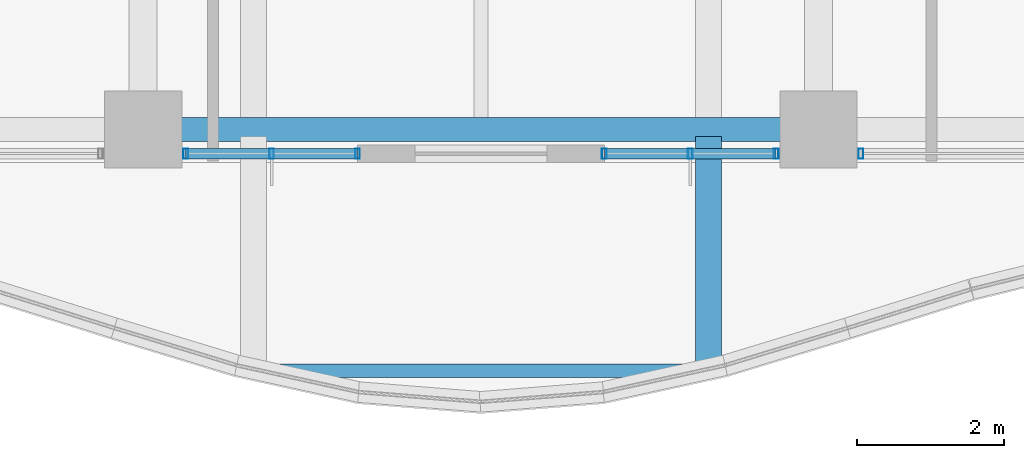
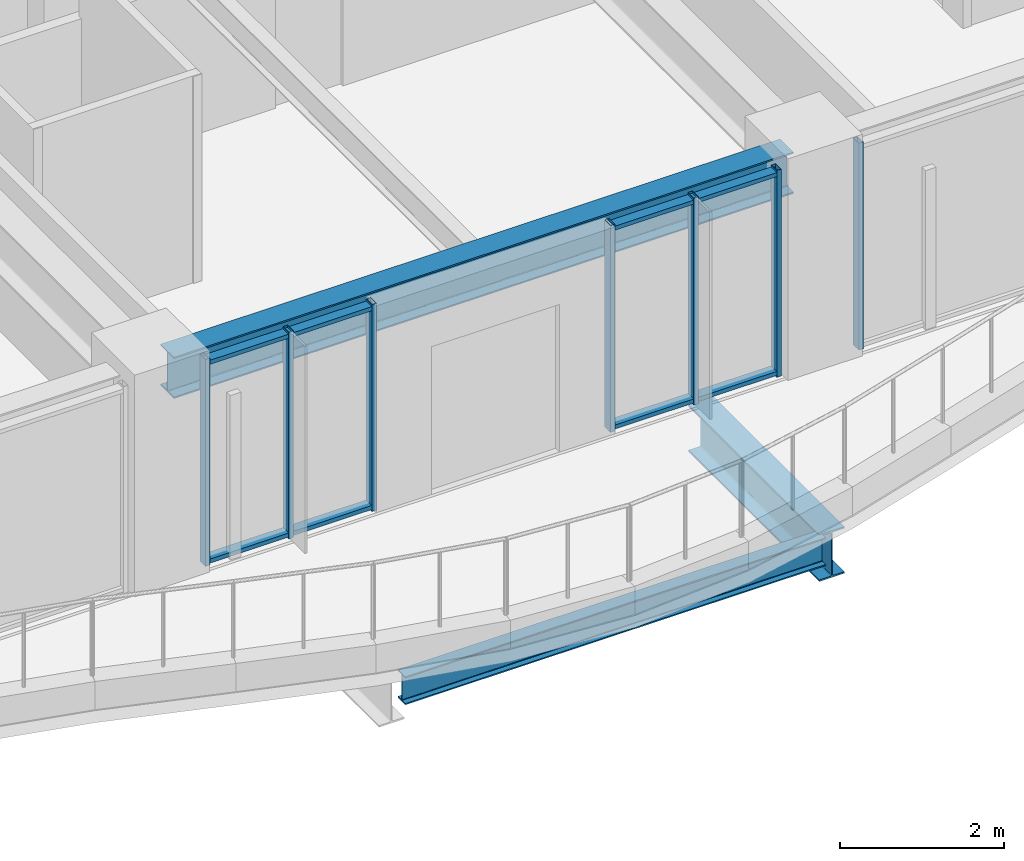
# One storey, part 6 of 38: 11 members, 3 beams, 3 elements without a shape of their own.
"""IFC4 building model written with IfcOpenShell, lengths in metres."""

from ifc_helpers import new_model, si_unit, direction, frame, origin, origin_2d, place, context, subcontext, project, spatial, hollow_rectangle, i_section, extrude, material, material_profile, profile_set, type_object, element, aggregate, save


model = new_model("IFC4")

# Units and contexts
model_context = context("Model", 3, precision=1e-05, world=origin(), true_north=direction((0.0, 1.0)))
body_context = subcontext(model_context, "Body", "Model", "MODEL_VIEW")
ifc_project = project(units=[si_unit("LENGTHUNIT", "METRE"), si_unit("AREAUNIT", "SQUARE_METRE"), si_unit("VOLUMEUNIT", "CUBIC_METRE"), si_unit("PLANEANGLEUNIT", "RADIAN"), si_unit("MASSUNIT", "GRAM", prefix="KILO")], contexts=[model_context])

# Site, building, storey
site_placement = place(None, origin())
site = spatial("IfcSite", under=ifc_project, at=site_placement, CompositionType="ELEMENT")
building_placement = place(site_placement, origin())
building = spatial("IfcBuilding", under=site, at=building_placement, Name="Kolvaren Belvedere", CompositionType="ELEMENT")
storey_placement = place(building_placement, frame((0.0, 0.0, 98.60009765625)))
storey = spatial("IfcBuildingStorey", under=building, at=storey_placement, Name="L28", CompositionType="ELEMENT", Elevation=98.60009765625)

# Beams
ifc_material_1 = material(Name="Structural steel ASTM A992 Grade 50", Category="steel")
ifc_material_profile_1 = material_profile(ifc_material_1, i_section(OverallWidth=0.35498046875, OverallDepth=0.696044921875, WebThickness=0.015380859375, FlangeThickness=0.02490234375, FilletRadius=0.02197265625, at=origin_2d()), Name="W27X146")
ifc_profile_set_1 = profile_set([ifc_material_profile_1], Name="Structural steel ASTM A992 Grade 50")
beam_type_1 = type_object("IfcBeamType", Name="BM-CANT-BAL", PredefinedType="BEAM", material=ifc_profile_set_1)
beam_1_placement = place(storey_placement, frame((3.10009765625, -20.044921875, -0.568115234375), z_axis=(0.0, -1.0, 0.0), x_axis=(1.0, 0.0, 0.0)))
element("IfcBeam", 1, at=beam_1_placement, inside=storey, type_object=beam_type_1, Name="L28 Planted Balcony Cantilever BAL-S-2", PredefinedType="BEAM", context=body_context, shape_type="SweptSolid", body=[
    extrude(i_section(OverallWidth=0.35498046875, OverallDepth=0.696044921875, WebThickness=0.015380859375, FlangeThickness=0.02490234375, FilletRadius=0.02197265625, at=origin_2d()), origin(), (0.0, 0.0, 1.0), 3.190673828125),
])
ifc_material_2 = material(Name="Structural steel ASTM A992 Grade 50", Category="steel")
ifc_material_profile_2 = material_profile(ifc_material_2, i_section(OverallWidth=0.180908203125, OverallDepth=0.4169921875, WebThickness=0.010986328125, FlangeThickness=0.018310546875, FilletRadius=0.013916015625, at=origin_2d()), Name="W16X57")
ifc_profile_set_2 = profile_set([ifc_material_profile_2], Name="Structural steel ASTM A992 Grade 50")
beam_type_2 = type_object("IfcBeamType", Name="BM-EDGE-W16X57", PredefinedType="BEAM", material=ifc_profile_set_2)
beam_2_placement = place(storey_placement, frame((-2.9599609375, -23.235595703125, -0.4287109375), z_axis=(1.0, 0.0, 0.0), x_axis=(0.0, 1.0, 0.0)))
element("IfcBeam", 2, at=beam_2_placement, inside=storey, type_object=beam_type_2, Name="L28 Balcony Tip Header Beam BAL-S", PredefinedType="BEAM", context=body_context, shape_type="SweptSolid", body=[
    extrude(i_section(OverallWidth=0.180908203125, OverallDepth=0.4169921875, WebThickness=0.010986328125, FlangeThickness=0.018310546875, FilletRadius=0.013916015625, at=origin_2d()), origin(), (0.0, 0.0, 1.0), 5.919921875),
])
ifc_material_3 = material(Name="Structural steel ASTM A992 Grade 50", Category="steel")
ifc_material_profile_3 = material_profile(ifc_material_3, i_section(OverallWidth=0.324951171875, OverallDepth=0.615966796875, WebThickness=0.013916015625, FlangeThickness=0.021484375, FilletRadius=0.02001953125, at=origin_2d()), Name="W24X117")
ifc_profile_set_3 = profile_set([ifc_material_profile_3], Name="Structural steel ASTM A992 Grade 50")
beam_type_3 = type_object("IfcBeamType", Name="BM-SPAN-W24X117", PredefinedType="SPANDREL", material=ifc_profile_set_3)
beam_3_placement = place(storey_placement, frame((-4.36376953125, -19.949951171875, 2.77197265625), z_axis=(1.0, 0.0, 0.0), x_axis=(0.0, 1.0, 0.0)))
element("IfcBeam", 3, at=beam_3_placement, inside=storey, type_object=beam_type_3, Name="L28 Perimeter Spandrel S2-S3", PredefinedType="SPANDREL", context=body_context, shape_type="SweptSolid", body=[
    extrude(i_section(OverallWidth=0.324951171875, OverallDepth=0.615966796875, WebThickness=0.013916015625, FlangeThickness=0.021484375, FilletRadius=0.02001953125, at=origin_2d()), origin(), (0.0, 0.0, 1.0), 8.7275390625),
])

# Curtain wall, member
ifc_material_4 = material(Name="Anodised pale-metal aluminium AA 6063-T6", Category="aluminium")
curtain_wall_type = type_object("IfcCurtainWallType", Name="CW-Z2-MID", PredefinedType="NOTDEFINED", material=ifc_material_4)
curtain_wall_1_placement = place(storey_placement, origin())
curtain_wall_1 = element("IfcCurtainWall", 4, at=curtain_wall_1_placement, inside=storey, type_object=curtain_wall_type, Name="L28 Unitised Curtain Wall FCW-L28-S1-B1", PredefinedType="NOTDEFINED")
ifc_material_5 = material(Name="Anodised pale-metal aluminium AA 6063-T6", Category="aluminium")
ifc_material_profile_4 = material_profile(ifc_material_5, hollow_rectangle(XDim=0.06494140625, YDim=0.139892578125, WallThickness=0.00390625, at=origin_2d()), Name="ALU-MUL-140X65")
ifc_profile_set_4 = profile_set([ifc_material_profile_4], Name="Anodised pale-metal aluminium AA 6063-T6")
member_type_1 = type_object("IfcMemberType", Name="CW-MUL-140", PredefinedType="MULLION", material=ifc_profile_set_4)
member_1_placement = place(storey_placement, frame((5.177490234375, -20.280029296875, 0.0), z_axis=(0.0, 0.0, 1.0), x_axis=(1.0, 0.0, 0.0)))
member_1 = element("IfcMember", 5, at=member_1_placement, type_object=member_type_1, Name="FCW-L28-S1-B1 Unitised Mullion 3", PredefinedType="MULLION", context=body_context, shape_type="SweptSolid", body=[
    extrude(hollow_rectangle(XDim=0.06494140625, YDim=0.139892578125, WallThickness=0.00390625, at=origin_2d()), origin(), (0.0, 0.0, 1.0), 3.079833984375),
])
aggregate(curtain_wall_1, [member_1])

# Curtain wall, members
curtain_wall_2_placement = place(storey_placement, origin())
curtain_wall_2 = element("IfcCurtainWall", 6, at=curtain_wall_2_placement, inside=storey, type_object=curtain_wall_type, Name="L28 Unitised Curtain Wall FCW-L28-S1-B2", PredefinedType="NOTDEFINED")
member_2_placement = place(storey_placement, frame((4.0224609375, -20.280029296875, 0.0), z_axis=(0.0, 0.0, 1.0), x_axis=(1.0, 0.0, 0.0)))
member_2 = element("IfcMember", 7, at=member_2_placement, type_object=member_type_1, Name="FCW-L28-S1-B2 Unitised Mullion 1", PredefinedType="MULLION", context=body_context, shape_type="SweptSolid", body=[
    extrude(hollow_rectangle(XDim=0.06494140625, YDim=0.139892578125, WallThickness=0.00390625, at=origin_2d()), origin(), (0.0, 0.0, 1.0), 3.079833984375),
])
member_3_placement = place(storey_placement, frame((2.851318359375, -20.280029296875, 0.0), z_axis=(0.0, 0.0, 1.0), x_axis=(1.0, 0.0, 0.0)))
member_3 = element("IfcMember", 8, at=member_3_placement, type_object=member_type_1, Name="FCW-L28-S1-B2 Unitised Mullion 2", PredefinedType="MULLION", context=body_context, shape_type="SweptSolid", body=[
    extrude(hollow_rectangle(XDim=0.06494140625, YDim=0.139892578125, WallThickness=0.00390625, at=origin_2d()), origin(), (0.0, 0.0, 1.0), 3.079833984375),
])
member_4_placement = place(storey_placement, frame((1.679931640625, -20.280029296875, 0.0), z_axis=(0.0, 0.0, 1.0), x_axis=(1.0, 0.0, 0.0)))
member_4 = element("IfcMember", 9, at=member_4_placement, type_object=member_type_1, Name="FCW-L28-S1-B2 Unitised Mullion 3", PredefinedType="MULLION", context=body_context, shape_type="SweptSolid", body=[
    extrude(hollow_rectangle(XDim=0.06494140625, YDim=0.139892578125, WallThickness=0.00390625, at=origin_2d()), origin(), (0.0, 0.0, 1.0), 3.079833984375),
])

curtain_wall_3_placement = place(storey_placement, origin())
curtain_wall_3 = element("IfcCurtainWall", 10, at=curtain_wall_3_placement, inside=storey, type_object=curtain_wall_type, Name="L28 Unitised Curtain Wall FCW-L28-S2-B1", PredefinedType="NOTDEFINED")
member_5_placement = place(storey_placement, frame((-1.679931640625, -20.280029296875, 0.0), z_axis=(0.0, 0.0, 1.0), x_axis=(1.0, 0.0, 0.0)))
member_5 = element("IfcMember", 11, at=member_5_placement, type_object=member_type_1, Name="FCW-L28-S2-B1 Unitised Mullion 1", PredefinedType="MULLION", context=body_context, shape_type="SweptSolid", body=[
    extrude(hollow_rectangle(XDim=0.06494140625, YDim=0.139892578125, WallThickness=0.00390625, at=origin_2d()), origin(), (0.0, 0.0, 1.0), 3.079833984375),
])
member_6_placement = place(storey_placement, frame((-2.851318359375, -20.280029296875, 0.0), z_axis=(0.0, 0.0, 1.0), x_axis=(1.0, 0.0, 0.0)))
member_6 = element("IfcMember", 12, at=member_6_placement, type_object=member_type_1, Name="FCW-L28-S2-B1 Unitised Mullion 2", PredefinedType="MULLION", context=body_context, shape_type="SweptSolid", body=[
    extrude(hollow_rectangle(XDim=0.06494140625, YDim=0.139892578125, WallThickness=0.00390625, at=origin_2d()), origin(), (0.0, 0.0, 1.0), 3.079833984375),
])
member_7_placement = place(storey_placement, frame((-4.0224609375, -20.280029296875, 0.0), z_axis=(0.0, 0.0, 1.0), x_axis=(1.0, 0.0, 0.0)))
member_7 = element("IfcMember", 13, at=member_7_placement, type_object=member_type_1, Name="FCW-L28-S2-B1 Unitised Mullion 3", PredefinedType="MULLION", context=body_context, shape_type="SweptSolid", body=[
    extrude(hollow_rectangle(XDim=0.06494140625, YDim=0.139892578125, WallThickness=0.00390625, at=origin_2d()), origin(), (0.0, 0.0, 1.0), 3.079833984375),
])

# Member
ifc_material_6 = material(Name="Anodised pale-metal aluminium AA 6063-T6", Category="aluminium")
ifc_material_profile_5 = material_profile(ifc_material_6, hollow_rectangle(XDim=0.06005859375, YDim=0.139892578125, WallThickness=0.00390625, at=origin_2d()), Name="ALU-TRN-140X60")
ifc_profile_set_5 = profile_set([ifc_material_profile_5], Name="Anodised pale-metal aluminium AA 6063-T6")
member_type_2 = type_object("IfcMemberType", Name="CW-TRN-140", PredefinedType="USERDEFINED", material=ifc_profile_set_5)
member_8_placement = place(storey_placement, frame((4.0224609375, -20.280029296875, 0.059814453125), z_axis=(-1.0, 0.0, 0.0), x_axis=(0.0, 0.0, 1.0)))
member_8 = element("IfcMember", 14, at=member_8_placement, type_object=member_type_2, Name="FCW-L28-S1-B2 Sill Transom", ObjectType="TRANSOM", PredefinedType="USERDEFINED", context=body_context, shape_type="SweptSolid", body=[
    extrude(hollow_rectangle(XDim=0.06005859375, YDim=0.139892578125, WallThickness=0.00390625, at=origin_2d()), origin(), (0.0, 0.0, 1.0), 2.342529296875),
])

member_9_placement = place(storey_placement, frame((4.0224609375, -20.280029296875, 3.02001953125), z_axis=(-1.0, 0.0, 0.0), x_axis=(0.0, 0.0, 1.0)))
member_9 = element("IfcMember", 15, at=member_9_placement, type_object=member_type_2, Name="FCW-L28-S1-B2 Head Transom", ObjectType="TRANSOM", PredefinedType="USERDEFINED", context=body_context, shape_type="SweptSolid", body=[
    extrude(hollow_rectangle(XDim=0.06005859375, YDim=0.139892578125, WallThickness=0.00390625, at=origin_2d()), origin(), (0.0, 0.0, 1.0), 2.342529296875),
])

aggregate(curtain_wall_2, [member_2, member_3, member_4, member_8, member_9])

member_10_placement = place(storey_placement, frame((-1.679931640625, -20.280029296875, 0.059814453125), z_axis=(-1.0, 0.0, 0.0), x_axis=(0.0, 0.0, 1.0)))
member_10 = element("IfcMember", 16, at=member_10_placement, type_object=member_type_2, Name="FCW-L28-S2-B1 Sill Transom", ObjectType="TRANSOM", PredefinedType="USERDEFINED", context=body_context, shape_type="SweptSolid", body=[
    extrude(hollow_rectangle(XDim=0.06005859375, YDim=0.139892578125, WallThickness=0.00390625, at=origin_2d()), origin(), (0.0, 0.0, 1.0), 2.342529296875),
])

member_11_placement = place(storey_placement, frame((-1.679931640625, -20.280029296875, 3.02001953125), z_axis=(-1.0, 0.0, 0.0), x_axis=(0.0, 0.0, 1.0)))
member_11 = element("IfcMember", 17, at=member_11_placement, type_object=member_type_2, Name="FCW-L28-S2-B1 Head Transom", ObjectType="TRANSOM", PredefinedType="USERDEFINED", context=body_context, shape_type="SweptSolid", body=[
    extrude(hollow_rectangle(XDim=0.06005859375, YDim=0.139892578125, WallThickness=0.00390625, at=origin_2d()), origin(), (0.0, 0.0, 1.0), 2.342529296875),
])

aggregate(curtain_wall_3, [member_5, member_6, member_7, member_10, member_11])

save(model, "model.ifc")
